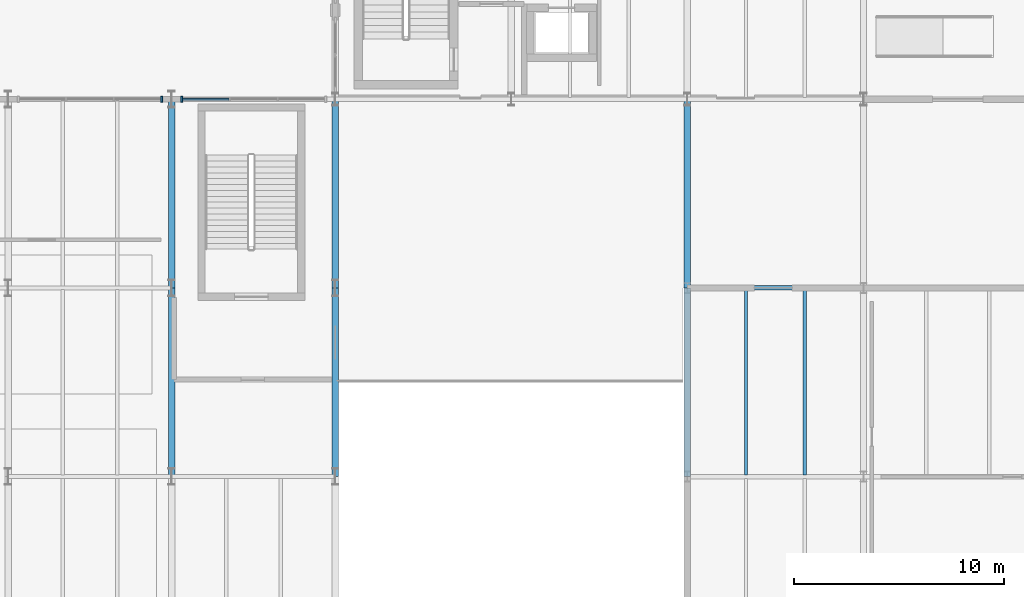
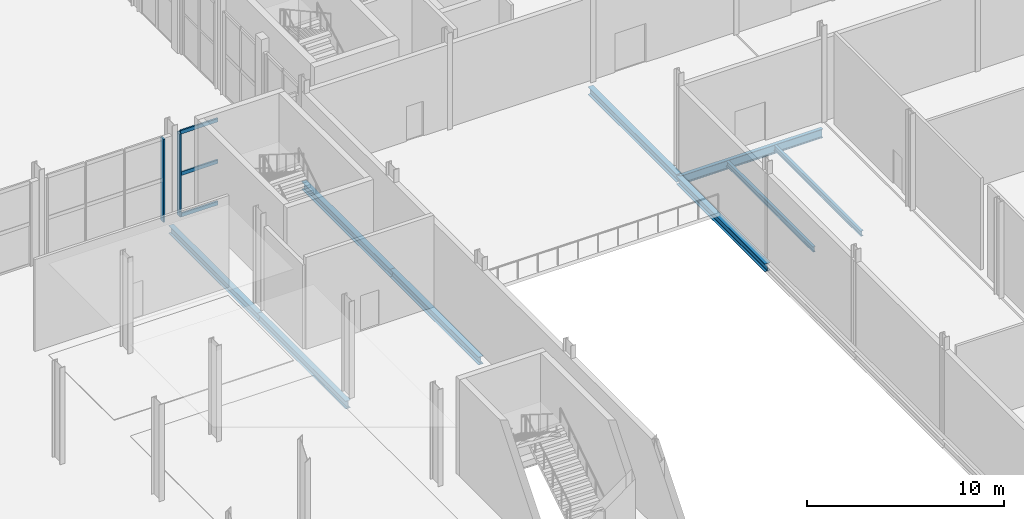
# One storey, part 26 of 84: 9 beams, 5 members, 2 elements without a shape of their own.
"""IFC4 building model written with IfcOpenShell, lengths in metres."""

import ifcopenshell
import ifcopenshell.guid

model = None  # the IFC model being written
_history = None  # IfcOwnerHistory: only IFC2X3 demands one
_inside = {}  # id of a spatial element -> (the spatial element, [elements in it])
_under = {}  # id of a project, library or spatial element -> (it, [spatial elements below it])
_declared = {}  # id of a project -> (the project, [libraries it declares])
_typed = {}  # id of a type object -> (the type object, [elements of that type])
_made_of = {}  # id of a material, layer set ... -> (it, [elements and type objects made of it])


def new_model(schema):
    """Start an empty IFC model of exactly this schema.

    Asked for "IFC4X3", IfcOpenShell would pick the latest addendum, in which some entities
    have other attributes; the version numbers below select the first issue.
    IFC2X3 requires an IfcOwnerHistory on every rooted entity: one is made here for all.
    """
    global model, _history
    if schema == "IFC4X3":
        model = ifcopenshell.file(schema_version=(4, 3, 0, 0))
    else:
        model = ifcopenshell.file(schema=schema)
    _inside.clear()
    _under.clear()
    _declared.clear()
    _typed.clear()
    _made_of.clear()
    _history = None
    if model.schema == "IFC2X3":
        org = make("IfcOrganization", Name="unknown")
        user = make(
            "IfcPersonAndOrganization",
            ThePerson=make("IfcPerson", FamilyName="unknown"),
            TheOrganization=org,
        )
        app = make(
            "IfcApplication",
            ApplicationDeveloper=org,
            Version="unknown",
            ApplicationFullName="unknown",
            ApplicationIdentifier="unknown",
        )
        _history = make(
            "IfcOwnerHistory",
            OwningUser=user,
            OwningApplication=app,
            ChangeAction="ADDED",
            CreationDate=0,
        )
    return model


def make(cls, **values):
    """One entity of the class cls with the attributes given. An attribute that is None is left unset."""
    return model.create_entity(
        cls, **{name: value for name, value in values.items() if value is not None}
    )


def rooted(cls, **values):
    """An entity with a GlobalId (a new one), such as an element, a storey or a relation."""
    return make(cls, GlobalId=ifcopenshell.guid.new(), OwnerHistory=_history, **values)


def si_unit(unit_type, name, prefix=None):
    """IfcSIUnit, for example si_unit("LENGTHUNIT", "METRE", prefix="MILLI")."""
    return make("IfcSIUnit", UnitType=unit_type, Prefix=prefix, Name=name)


def assignment(units):
    """IfcUnitAssignment: the units of a project."""
    return None if units is None else make("IfcUnitAssignment", Units=units)


def point(xyz):
    """IfcCartesianPoint."""
    return None if xyz is None else make("IfcCartesianPoint", Coordinates=xyz)


def direction(xyz):
    """IfcDirection."""
    return None if xyz is None else make("IfcDirection", DirectionRatios=xyz)


def frame(location, z_axis=None, x_axis=None):
    """IfcAxis2Placement3D, a coordinate frame: its origin and axes. An axis left out is left unset."""
    return make(
        "IfcAxis2Placement3D",
        Location=point(location),
        Axis=direction(z_axis),
        RefDirection=direction(x_axis),
    )


def frame_2d(location, x_axis=None):
    """IfcAxis2Placement2D, a coordinate frame in the plane: its origin and x axis."""
    return make(
        "IfcAxis2Placement2D", Location=point(location), RefDirection=direction(x_axis)
    )


def origin():
    """The frame at (0, 0, 0) with its axes left unset."""
    return frame((0.0, 0.0, 0.0))


def origin_2d():
    """The frame at (0, 0) in the plane with its x axis left unset."""
    return frame_2d((0.0, 0.0))


def place(relative_to, where):
    """IfcLocalPlacement: puts the frame where relative to a parent placement (None: the world)."""
    return make(
        "IfcLocalPlacement", PlacementRelTo=relative_to, RelativePlacement=where
    )


def context(
    kind, dimensions, precision=None, world=None, true_north=None, identifier=None
):
    """IfcGeometricRepresentationContext, for example the 3D "Model" context."""
    return make(
        "IfcGeometricRepresentationContext",
        ContextIdentifier=identifier,
        ContextType=kind,
        CoordinateSpaceDimension=dimensions,
        Precision=precision,
        WorldCoordinateSystem=world,
        TrueNorth=true_north,
    )


def subcontext(parent, identifier, kind, view, scale=None):
    """IfcGeometricRepresentationSubContext, for example "Body" below "Model"."""
    return make(
        "IfcGeometricRepresentationSubContext",
        ContextIdentifier=identifier,
        ContextType=kind,
        ParentContext=parent,
        TargetScale=scale,
        TargetView=view,
    )


def project(units=None, contexts=None):
    """IfcProject with its units and contexts."""
    return rooted(
        "IfcProject",
        Name="project",
        RepresentationContexts=contexts,
        UnitsInContext=assignment(units),
    )


def spatial(cls, under=None, at=None, **own):
    """A site, building, storey or space (cls), placed at a placement, below another one or the project."""
    s = rooted(cls, ObjectPlacement=at, **own)
    if under is not None:
        _under.setdefault(under.id(), (under, []))[1].append(s)
    return s


def profile(cls, at=None, kind="AREA", **sizes):
    """A parametric profile (cls). Its sizes go by their IFC names, for example OverallWidth=200.0."""
    return make(cls, ProfileType=kind, Position=at, **sizes)


def rectangle(**sizes):
    """IfcRectangleProfileDef."""
    return profile("IfcRectangleProfileDef", **sizes)


def i_section(**sizes):
    """IfcIShapeProfileDef."""
    return profile("IfcIShapeProfileDef", **sizes)


def extrude(swept, where, along, depth):
    """IfcExtrudedAreaSolid: the profile swept, set in the frame where, extruded along a direction by depth."""
    return make(
        "IfcExtrudedAreaSolid",
        SweptArea=swept,
        Position=where,
        ExtrudedDirection=direction(along),
        Depth=depth,
    )


def shape(context_of_items, identifier, shape_type, items):
    """IfcShapeRepresentation: the items that make up one representation, for example the "Body"."""
    return make(
        "IfcShapeRepresentation",
        ContextOfItems=context_of_items,
        RepresentationIdentifier=identifier,
        RepresentationType=shape_type,
        Items=items,
    )


def material(Name=None, Category=None):
    """IfcMaterial."""
    return make("IfcMaterial", Name=Name, Category=Category)


def layer(
    of_material, thickness, ventilated=None, Name=None, Category=None, Priority=None
):
    """IfcMaterialLayer: one layer of a wall or slab, of a material (None: an air gap)."""
    return make(
        "IfcMaterialLayer",
        Material=of_material,
        LayerThickness=thickness,
        IsVentilated=ventilated,
        Name=Name,
        Category=Category,
        Priority=Priority,
    )


def layer_set(layers, Name=None):
    """IfcMaterialLayerSet."""
    return make("IfcMaterialLayerSet", MaterialLayers=layers, LayerSetName=Name)


def material_profile(
    of_material, cross_section, Name=None, Category=None, Priority=None
):
    """IfcMaterialProfile: a cross section and its material."""
    return make(
        "IfcMaterialProfile",
        Name=Name,
        Material=of_material,
        Profile=cross_section,
        Priority=Priority,
        Category=Category,
    )


def profile_set(profiles, Name=None, composite=None):
    """IfcMaterialProfileSet."""
    return make(
        "IfcMaterialProfileSet",
        Name=Name,
        MaterialProfiles=profiles,
        CompositeProfile=composite,
    )


def made_of(thing, what):
    """Note that an element or type object is made of a material, layer set ...; save() writes the relation."""
    if what is not None:
        _made_of.setdefault(what.id(), (what, []))[1].append(thing)
    return thing


def type_object(cls, material=None, **own):
    """A type object (cls), such as IfcWallType, which elements share."""
    return made_of(rooted(cls, **own), material)


def element(
    cls,
    number,
    at=None,
    inside=None,
    cuts=None,
    type_object=None,
    material=None,
    context=None,
    identifier="Body",
    shape_type=None,
    held_by="IfcProductDefinitionShape",
    body=None,
    shapes=None,
    **own,
):
    """One element of the class cls, such as IfcWall. Its Tag is "e" and its number.

    at: its placement. inside: the storey or other place that contains it. cuts: it is an
    opening in that element (IfcRelVoidsElement). A single representation is given by context,
    identifier, shape_type and body (its items); several are given by shapes. held_by: the class
    of the entity that holds the representations. save() writes the other relations.
    """
    e = rooted(cls, Tag="e%d" % number, ObjectPlacement=at, **own)
    if body is not None:
        shapes = [shape(context, identifier, shape_type, body)]
    if shapes is not None:
        e.Representation = make(held_by, Representations=shapes)
    if inside is not None:
        _inside.setdefault(inside.id(), (inside, []))[1].append(e)
    if cuts is not None:
        rooted(
            "IfcRelVoidsElement", RelatingBuildingElement=cuts, RelatedOpeningElement=e
        )
    if type_object is not None:
        _typed.setdefault(type_object.id(), (type_object, []))[1].append(e)
    return made_of(e, material)


def aggregate(whole, parts):
    """IfcRelAggregates: a whole, such as a stair, and the parts it consists of."""
    return rooted("IfcRelAggregates", RelatingObject=whole, RelatedObjects=parts)


def save(model, path):
    """Write the relations noted so far, then the file.

    IfcRelAggregates (storeys below a building ...), IfcRelContainedInSpatialStructure (elements
    in a storey), IfcRelDefinesByType, IfcRelAssociatesMaterial and IfcRelDeclares: one each for
    every whole, place, type object, material and project.
    """
    for whole, parts in _under.values():
        aggregate(whole, parts)
    for where, things in _inside.values():
        rooted(
            "IfcRelContainedInSpatialStructure",
            RelatedElements=things,
            RelatingStructure=where,
        )
    for kind, things in _typed.values():
        rooted("IfcRelDefinesByType", RelatedObjects=things, RelatingType=kind)
    for what, things in _made_of.values():
        rooted("IfcRelAssociatesMaterial", RelatedObjects=things, RelatingMaterial=what)
    for by, libraries in _declared.values():
        rooted("IfcRelDeclares", RelatingContext=by, RelatedDefinitions=libraries)
    model.write(path)


model = new_model("IFC4")

# Units and contexts
model_context = context("Model", 3, precision=1e-05, world=origin(), true_north=direction((0.0, 1.0)))
body_context = subcontext(model_context, "Body", "Model", "MODEL_VIEW")
ifc_project = project(units=[si_unit("LENGTHUNIT", "METRE"), si_unit("AREAUNIT", "SQUARE_METRE"), si_unit("VOLUMEUNIT", "CUBIC_METRE"), si_unit("PLANEANGLEUNIT", "RADIAN"), si_unit("MASSUNIT", "GRAM", prefix="KILO")], contexts=[model_context])

# Site, building, storey
site_placement = place(None, origin())
site = spatial("IfcSite", under=ifc_project, at=site_placement, CompositionType="ELEMENT")
building_placement = place(site_placement, origin())
building = spatial("IfcBuilding", under=site, at=building_placement, Name="Sefraquen Railside Congress Hotel", CompositionType="ELEMENT")
storey_placement = place(building_placement, origin())
storey = spatial("IfcBuildingStorey", under=building, at=storey_placement, Name="L00", CompositionType="ELEMENT", Elevation=0.0)

# Beams
ifc_material_1 = material(Name="Steel S355JR", Category="steel")
ifc_material_profile_1 = material_profile(ifc_material_1, i_section(OverallWidth=0.300048828125, OverallDepth=0.489990234375, WebThickness=0.011962890625, FlangeThickness=0.02294921875, FilletRadius=0.027099609375, at=origin_2d()), Name="HEA 500")
ifc_profile_set_1 = profile_set([ifc_material_profile_1], Name="Steel S355JR")
beam_type_1 = type_object("IfcBeamType", Name="TB-GIR-500", PredefinedType="T_BEAM", material=ifc_profile_set_1)
for number, where, z_axis, x_axis, name in (
    (1, (95.39990234375, 36.0, -0.64501953125), (0.0, 1.0, 0.0), (-1.0, 0.0, 0.0), "Floor beam BM-L00-0266"),
    (2, (95.39990234375, 45.0, -0.64501953125), (0.0, 1.0, 0.0), (-1.0, 0.0, 0.0), "Floor beam BM-L00-0267"),
    (3, (103.199951171875, 36.0, -0.64501953125), (0.0, 1.0, 0.0), (-1.0, 0.0, 0.0), "Floor beam BM-L00-0275"),
    (4, (103.199951171875, 45.0, -0.64501953125), (0.0, 1.0, 0.0), (-1.0, 0.0, 0.0), "Floor beam BM-L00-0276"),
    (5, (120.0, 36.0, -0.7451171875), (0.0, 1.0, 0.0), (-1.0, 0.0, 0.0), "Floor beam BM-L00-0296"),
    (6, (120.0, 45.0, -0.64501953125), (0.0, 1.0, 0.0), (-1.0, 0.0, 0.0), "Floor beam BM-L00-0297"),
):
    element("IfcBeam", number, at=place(storey_placement, frame(where, z_axis=z_axis, x_axis=x_axis)), inside=storey, type_object=beam_type_1, Name=name, PredefinedType="T_BEAM", context=body_context, shape_type="SweptSolid", body=[
        extrude(i_section(OverallWidth=0.300048828125, OverallDepth=0.489990234375, WebThickness=0.011962890625, FlangeThickness=0.02294921875, FilletRadius=0.027099609375, at=origin_2d()), origin(), (0.0, 0.0, 1.0), 9.0),
    ])
ifc_material_profile_2 = material_profile(ifc_material_1, i_section(OverallWidth=0.2099609375, OverallDepth=0.550048828125, WebThickness=0.010986328125, FlangeThickness=0.01708984375, FilletRadius=0.02392578125, at=origin_2d()), Name="IPE 550")
ifc_profile_set_2 = profile_set([ifc_material_profile_2], Name="Steel S355JR")
beam_type_2 = type_object("IfcBeamType", Name="TB-GIR-550", PredefinedType="T_BEAM", material=ifc_profile_set_2)
beam_placement = place(storey_placement, frame((120.0, 45.0, -0.77490234375), z_axis=(1.0, 0.0, 0.0), x_axis=(0.0, 1.0, 0.0)))
element("IfcBeam", 7, at=beam_placement, inside=storey, type_object=beam_type_2, Name="Primary girder BM-L00-0048", PredefinedType="T_BEAM", context=body_context, shape_type="SweptSolid", body=[
    extrude(i_section(OverallWidth=0.2099609375, OverallDepth=0.550048828125, WebThickness=0.010986328125, FlangeThickness=0.01708984375, FilletRadius=0.02392578125, at=origin_2d()), origin(), (0.0, 0.0, 1.0), 8.39990234375),
])
ifc_material_profile_3 = material_profile(ifc_material_1, i_section(OverallWidth=0.159912109375, OverallDepth=0.330078125, WebThickness=0.007568359375, FlangeThickness=0.011474609375, FilletRadius=0.01806640625, at=origin_2d()), Name="IPE 330")
ifc_profile_set_3 = profile_set([ifc_material_profile_3], Name="Steel S355JR")
beam_type_3 = type_object("IfcBeamType", Name="TB-JST-330", PredefinedType="JOIST", material=ifc_profile_set_3)
for number, where, z_axis, x_axis, name in (
    (8, (122.800048828125, 36.0849609375, -0.6650390625), (0.0, 1.0, 0.0), (-1.0, 0.0, 0.0), "Composite floor joist BM-L00-J0182"),
    (9, (125.60009765625, 36.0849609375, -0.6650390625), (0.0, 1.0, 0.0), (-1.0, 0.0, 0.0), "Composite floor joist BM-L00-J0183"),
):
    element("IfcBeam", number, at=place(storey_placement, frame(where, z_axis=z_axis, x_axis=x_axis)), inside=storey, type_object=beam_type_3, Name=name, PredefinedType="JOIST", context=body_context, shape_type="SweptSolid", body=[
        extrude(i_section(OverallWidth=0.159912109375, OverallDepth=0.330078125, WebThickness=0.007568359375, FlangeThickness=0.011474609375, FilletRadius=0.01806640625, at=origin_2d()), origin(), (0.0, 0.0, 1.0), 8.830078125),
    ])

# Curtain wall, member
ifc_material_2 = material(Name="Thermally broken anodised aluminium and low-E double glazing", Category="aluminium")
ifc_layer = layer(ifc_material_2, 0.199951171875)
ifc_layer_set = layer_set([ifc_layer], Name="Thermally broken anodised aluminium and low-E double glazing")
curtain_wall_type = type_object("IfcCurtainWallType", Name="TCW-UCW-08", PredefinedType="USERDEFINED", material=ifc_layer_set)
curtain_wall_1_placement = place(storey_placement, origin())
curtain_wall_1 = element("IfcCurtainWall", 10, at=curtain_wall_1_placement, inside=storey, type_object=curtain_wall_type, Name="Congress courtyard north curtain wall L00-3 bay 2", ObjectType="UNITISED CURTAIN WALL", PredefinedType="USERDEFINED")
ifc_material_3 = material(Name="Thermally broken anodised aluminium 6063-T6", Category="aluminium")
ifc_material_profile_4 = material_profile(ifc_material_3, rectangle(XDim=0.094970703125, YDim=0.300048828125, at=origin_2d()), Name="CWM 95x300")
ifc_profile_set_4 = profile_set([ifc_material_profile_4], Name="Thermally broken anodised aluminium 6063-T6")
member_type_1 = type_object("IfcMemberType", Name="TM-CWM-08", PredefinedType="MULLION", material=ifc_profile_set_4)
member_1_placement = place(storey_placement, frame((94.919921875, 54.0, 0.0), z_axis=(0.0, 0.0, 1.0), x_axis=(1.0, 0.0, 0.0)))
member_1 = element("IfcMember", 11, at=member_1_placement, type_object=member_type_1, Name="CW-L00-008-S2 mullion 4", PredefinedType="MULLION", context=body_context, shape_type="SweptSolid", body=[
    extrude(rectangle(XDim=0.094970703125, YDim=0.300048828125, at=origin_2d()), origin(), (0.0, 0.0, 1.0), 5.14990234375),
])
aggregate(curtain_wall_1, [member_1])

# Curtain wall, members
curtain_wall_2_placement = place(storey_placement, origin())
curtain_wall_2 = element("IfcCurtainWall", 12, at=curtain_wall_2_placement, inside=storey, type_object=curtain_wall_type, Name="Congress courtyard north curtain wall L00-3 bay 3", ObjectType="UNITISED CURTAIN WALL", PredefinedType="USERDEFINED")
member_2_placement = place(storey_placement, frame((95.8798828125, 54.0, 0.0), z_axis=(0.0, 0.0, 1.0), x_axis=(1.0, 0.0, 0.0)))
member_2 = element("IfcMember", 13, at=member_2_placement, type_object=member_type_1, Name="CW-L00-008-S3 mullion 1", PredefinedType="MULLION", context=body_context, shape_type="SweptSolid", body=[
    extrude(rectangle(XDim=0.094970703125, YDim=0.300048828125, at=origin_2d()), origin(), (0.0, 0.0, 1.0), 5.14990234375),
])
ifc_material_profile_5 = material_profile(ifc_material_3, rectangle(XDim=0.094970703125, YDim=0.22509765625, at=origin_2d()), Name="CWT 95x225")
ifc_profile_set_5 = profile_set([ifc_material_profile_5], Name="Thermally broken anodised aluminium 6063-T6")
member_type_2 = type_object("IfcMemberType", Name="TM-CWT-08", PredefinedType="USERDEFINED", material=ifc_profile_set_5)
member_3_placement = place(storey_placement, frame((95.925048828125, 54.0, 0.0), z_axis=(1.0, 0.0, 0.0), x_axis=(0.0, 1.0, 0.0)))
member_3 = element("IfcMember", 14, at=member_3_placement, type_object=member_type_2, Name="CW-L00-008-S3 transom 1.1", ObjectType="TRANSOM", PredefinedType="USERDEFINED", context=body_context, shape_type="SweptSolid", body=[
    extrude(rectangle(XDim=0.094970703125, YDim=0.22509765625, at=origin_2d()), origin(), (0.0, 0.0, 1.0), 2.203369140625),
])
member_4_placement = place(storey_placement, frame((95.925048828125, 54.0, 2.574951171875), z_axis=(1.0, 0.0, 0.0), x_axis=(0.0, 1.0, 0.0)))
member_4 = element("IfcMember", 15, at=member_4_placement, type_object=member_type_2, Name="CW-L00-008-S3 transom 2.1", ObjectType="TRANSOM", PredefinedType="USERDEFINED", context=body_context, shape_type="SweptSolid", body=[
    extrude(rectangle(XDim=0.094970703125, YDim=0.22509765625, at=origin_2d()), origin(), (0.0, 0.0, 1.0), 2.203369140625),
])
member_5_placement = place(storey_placement, frame((95.925048828125, 54.0, 5.14990234375), z_axis=(1.0, 0.0, 0.0), x_axis=(0.0, 1.0, 0.0)))
member_5 = element("IfcMember", 16, at=member_5_placement, type_object=member_type_2, Name="CW-L00-008-S3 transom 3.1", ObjectType="TRANSOM", PredefinedType="USERDEFINED", context=body_context, shape_type="SweptSolid", body=[
    extrude(rectangle(XDim=0.094970703125, YDim=0.22509765625, at=origin_2d()), origin(), (0.0, 0.0, 1.0), 2.203369140625),
])
aggregate(curtain_wall_2, [member_2, member_3, member_4, member_5])

save(model, "model.ifc")
